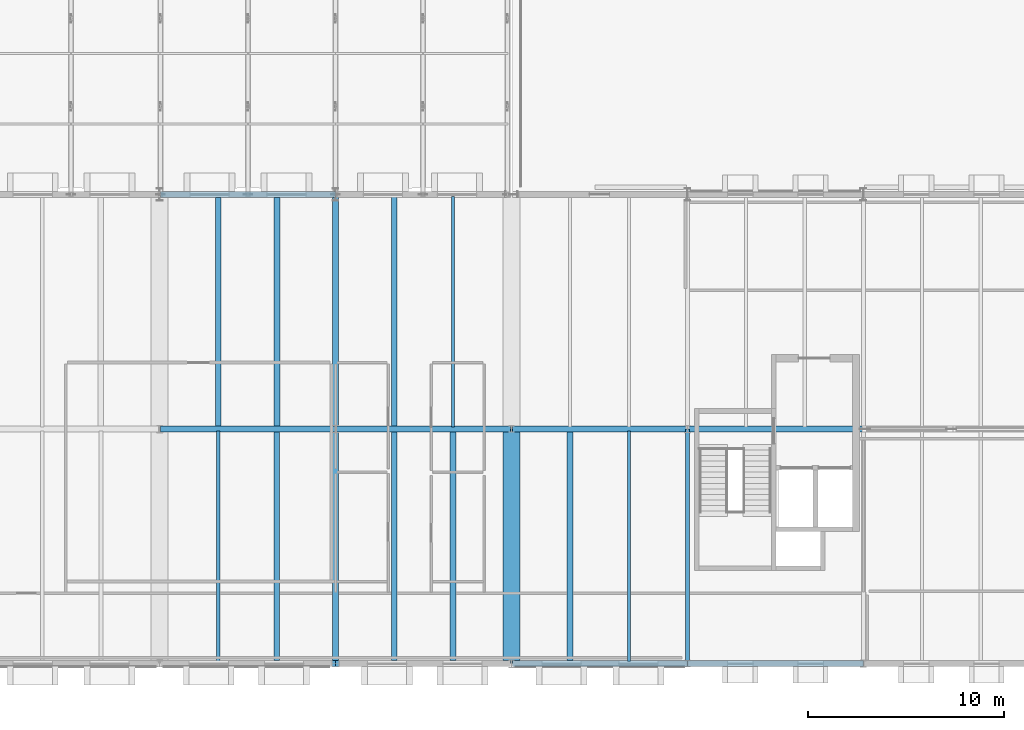
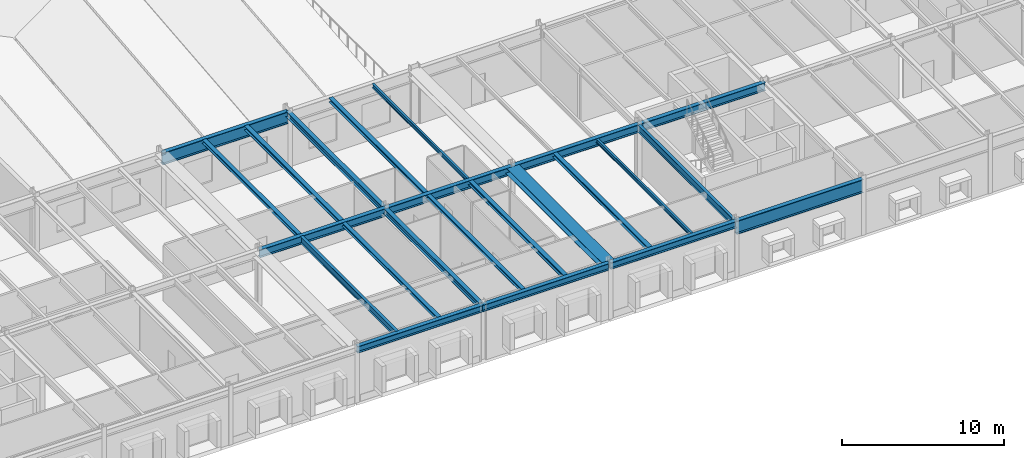
# One storey, part 43 of 142: 23 beams.
"""IFC4 building model written with IfcOpenShell, lengths in metres."""

from ifc_helpers import new_model, si_unit, direction, frame, origin, origin_2d, place, context, subcontext, project, spatial, i_section, extrude, material, material_profile, profile_set, type_object, element, save


model = new_model("IFC4")

# Units and contexts
model_context = context("Model", 3, precision=1e-05, world=origin(), true_north=direction((0.0, 1.0)))
body_context = subcontext(model_context, "Body", "Model", "MODEL_VIEW")
ifc_project = project(units=[si_unit("LENGTHUNIT", "METRE"), si_unit("AREAUNIT", "SQUARE_METRE"), si_unit("VOLUMEUNIT", "CUBIC_METRE"), si_unit("PLANEANGLEUNIT", "RADIAN"), si_unit("MASSUNIT", "GRAM", prefix="KILO")], contexts=[model_context])

# Site, building, storey
site_placement = place(None, origin())
site = spatial("IfcSite", under=ifc_project, at=site_placement, CompositionType="ELEMENT")
building_placement = place(site_placement, origin())
building = spatial("IfcBuilding", under=site, at=building_placement, Name="Montelvaro Courts of Justice", CompositionType="ELEMENT")
storey_placement = place(building_placement, frame((0.0, 0.0, 14.39990234375)))
storey = spatial("IfcBuildingStorey", under=building, at=storey_placement, Name="L03", CompositionType="ELEMENT", Elevation=14.39990234375)

# Beams
ifc_material = material(Name="Steel S355", Category="steel")
ifc_material_profile_1 = material_profile(ifc_material, i_section(OverallWidth=0.280029296875, OverallDepth=0.27001953125, WebThickness=0.008056640625, FlangeThickness=0.012939453125, at=origin_2d()), Name="HEA 280")
ifc_profile_set_1 = profile_set([ifc_material_profile_1], Name="Steel S355")
beam_type_1 = type_object("IfcBeamType", Name="Beam_HEA280", PredefinedType="BEAM", material=ifc_profile_set_1)
for number, where, z_axis, x_axis, name in (
    (1, (87.0, 0.110107421875, 4.045166015625), (0.0, 1.0, 0.0), (-1.0, 0.0, 0.0), "Beam B-14 L03"),
    (2, (84.0, 12.110107421875, 4.045166015625), (0.0, 1.0, 0.0), (-1.0, 0.0, 0.0), "Beam B-14 L03"),
    (3, (93.0, 0.110107421875, 4.045166015625), (0.0, 1.0, 0.0), (-1.0, 0.0, 0.0), "Beam B-14 L03"),
):
    element("IfcBeam", number, at=place(storey_placement, frame(where, z_axis=z_axis, x_axis=x_axis)), inside=storey, type_object=beam_type_1, Name=name, PredefinedType="BEAM", context=body_context, shape_type="SweptSolid", body=[
        extrude(i_section(OverallWidth=0.280029296875, OverallDepth=0.27001953125, WebThickness=0.008056640625, FlangeThickness=0.012939453125, at=origin_2d()), origin(), (0.0, 0.0, 1.0), 11.77978515625),
    ])
ifc_material_profile_2 = material_profile(ifc_material, i_section(OverallWidth=0.300048828125, OverallDepth=0.31005859375, WebThickness=0.009033203125, FlangeThickness=0.015380859375, at=origin_2d()), Name="HEA 320")
ifc_profile_set_2 = profile_set([ifc_material_profile_2], Name="Steel S355")
beam_type_2 = type_object("IfcBeamType", Name="Beam_HEA320", PredefinedType="BEAM", material=ifc_profile_set_2)
for number, where, z_axis, x_axis, name in (
    (4, (87.0, 12.110107421875, 4.025146484375), (0.0, 1.0, 0.0), (-1.0, 0.0, 0.0), "Beam B-15 L03"),
    (5, (96.0, 0.110107421875, 4.025146484375), (0.0, 1.0, 0.0), (-1.0, 0.0, 0.0), "Beam B-15 L03"),
    (6, (93.0, 12.110107421875, 4.025146484375), (0.0, 1.0, 0.0), (-1.0, 0.0, 0.0), "Beam B-15 L03"),
    (7, (102.0, 0.110107421875, 4.025146484375), (0.0, 1.0, 0.0), (-1.0, 0.0, 0.0), "Beam B-15 L03"),
):
    element("IfcBeam", number, at=place(storey_placement, frame(where, z_axis=z_axis, x_axis=x_axis)), inside=storey, type_object=beam_type_2, Name=name, PredefinedType="BEAM", context=body_context, shape_type="SweptSolid", body=[
        extrude(i_section(OverallWidth=0.300048828125, OverallDepth=0.31005859375, WebThickness=0.009033203125, FlangeThickness=0.015380859375, at=origin_2d()), origin(), (0.0, 0.0, 1.0), 11.77978515625),
    ])
ifc_material_profile_3 = material_profile(ifc_material, i_section(OverallWidth=0.300048828125, OverallDepth=0.43994140625, WebThickness=0.011474609375, FlangeThickness=0.02099609375, at=origin_2d()), Name="HEA 450")
ifc_profile_set_3 = profile_set([ifc_material_profile_3], Name="Steel S355")
beam_type_3 = type_object("IfcBeamType", Name="Beam_HEA450", PredefinedType="USERDEFINED", material=ifc_profile_set_3)
for number, where, z_axis, x_axis, name in (
    (8, (90.0, 0.0, 3.960205078125), (0.0, 1.0, 0.0), (-1.0, 0.0, 0.0), "Beam B-18 L03"),
    (9, (90.0, 12.0, 3.960205078125), (0.0, 1.0, 0.0), (-1.0, 0.0, 0.0), "Beam B-18 L03"),
):
    element("IfcBeam", number, at=place(storey_placement, frame(where, z_axis=z_axis, x_axis=x_axis)), inside=storey, type_object=beam_type_3, Name=name, ObjectType="GIRDER", PredefinedType="USERDEFINED", context=body_context, shape_type="SweptSolid", body=[
        extrude(i_section(OverallWidth=0.300048828125, OverallDepth=0.43994140625, WebThickness=0.011474609375, FlangeThickness=0.02099609375, at=origin_2d()), origin(), (0.0, 0.0, 1.0), 12.0),
    ])
ifc_material_profile_4 = material_profile(ifc_material, i_section(OverallWidth=0.300048828125, OverallDepth=0.5, WebThickness=0.014404296875, FlangeThickness=0.028076171875, at=origin_2d()), Name="HEB 500")
ifc_profile_set_4 = profile_set([ifc_material_profile_4], Name="Steel S355")
beam_type_4 = type_object("IfcBeamType", Name="Beam_HEB500", PredefinedType="USERDEFINED", material=ifc_profile_set_4)
for number, where, z_axis, x_axis, name in (
    (10, (81.050048828125, 0.0, 3.93017578125), (1.0, 0.0, 0.0), (0.0, 1.0, 0.0), "Beam B-25 L03"),
    (11, (90.0, 0.0, 3.93017578125), (1.0, 0.0, 0.0), (0.0, 1.0, 0.0), "Beam B-25 L03"),
    (12, (99.050048828125, 0.0, 3.93017578125), (1.0, 0.0, 0.0), (0.0, 1.0, 0.0), "Beam B-25 L03"),
):
    element("IfcBeam", number, at=place(storey_placement, frame(where, z_axis=z_axis, x_axis=x_axis)), inside=storey, type_object=beam_type_4, Name=name, ObjectType="GIRDER", PredefinedType="USERDEFINED", context=body_context, shape_type="SweptSolid", body=[
        extrude(i_section(OverallWidth=0.300048828125, OverallDepth=0.5, WebThickness=0.014404296875, FlangeThickness=0.028076171875, at=origin_2d()), origin(), (0.0, 0.0, 1.0), 8.949951171875),
    ])
ifc_material_profile_5 = material_profile(ifc_material, i_section(OverallWidth=0.300048828125, OverallDepth=0.60009765625, WebThickness=0.015380859375, FlangeThickness=0.030029296875, at=origin_2d()), Name="HEB 600")
ifc_profile_set_5 = profile_set([ifc_material_profile_5], Name="Steel S355")
beam_type_5 = type_object("IfcBeamType", Name="Beam_HEB600", PredefinedType="USERDEFINED", material=ifc_profile_set_5)
for number, where, z_axis, x_axis, name in (
    (13, (81.050048828125, 12.0, 3.880126953125), (1.0, 0.0, 0.0), (0.0, 1.0, 0.0), "Beam B-26 L03"),
    (14, (90.0, 12.0, 3.880126953125), (1.0, 0.0, 0.0), (0.0, 1.0, 0.0), "Beam B-26 L03"),
    (15, (99.050048828125, 12.0, 3.880126953125), (1.0, 0.0, 0.0), (0.0, 1.0, 0.0), "Beam B-26 L03"),
):
    element("IfcBeam", number, at=place(storey_placement, frame(where, z_axis=z_axis, x_axis=x_axis)), inside=storey, type_object=beam_type_5, Name=name, ObjectType="GIRDER", PredefinedType="USERDEFINED", context=body_context, shape_type="SweptSolid", body=[
        extrude(i_section(OverallWidth=0.300048828125, OverallDepth=0.60009765625, WebThickness=0.015380859375, FlangeThickness=0.030029296875, at=origin_2d()), origin(), (0.0, 0.0, 1.0), 8.949951171875),
    ])
beam_1_placement = place(storey_placement, frame((108.0, 12.0, 3.880126953125), z_axis=(1.0, 0.0, 0.0), x_axis=(0.0, 1.0, 0.0)))
element("IfcBeam", 16, at=beam_1_placement, inside=storey, type_object=beam_type_5, Name="Beam B-26 L03", ObjectType="GIRDER", PredefinedType="USERDEFINED", context=body_context, shape_type="SweptSolid", body=[
    extrude(i_section(OverallWidth=0.300048828125, OverallDepth=0.60009765625, WebThickness=0.015380859375, FlangeThickness=0.030029296875, at=origin_2d()), origin(), (0.0, 0.0, 1.0), 9.0),
])
ifc_material_profile_6 = material_profile(ifc_material, i_section(OverallWidth=0.300048828125, OverallDepth=0.89990234375, WebThickness=0.0185546875, FlangeThickness=0.034912109375, at=origin_2d()), Name="HEB 900")
ifc_profile_set_6 = profile_set([ifc_material_profile_6], Name="Steel S355")
beam_type_6 = type_object("IfcBeamType", Name="Beam_HEB900", PredefinedType="USERDEFINED", material=ifc_profile_set_6)
beam_2_placement = place(storey_placement, frame((81.050048828125, 24.0, 3.72998046875), z_axis=(1.0, 0.0, 0.0), x_axis=(0.0, 1.0, 0.0)))
element("IfcBeam", 17, at=beam_2_placement, inside=storey, type_object=beam_type_6, Name="Beam B-30 L03", ObjectType="GIRDER", PredefinedType="USERDEFINED", context=body_context, shape_type="SweptSolid", body=[
    extrude(i_section(OverallWidth=0.300048828125, OverallDepth=0.89990234375, WebThickness=0.0185546875, FlangeThickness=0.034912109375, at=origin_2d()), origin(), (0.0, 0.0, 1.0), 8.949951171875),
])
ifc_material_profile_7 = material_profile(ifc_material, i_section(OverallWidth=0.302001953125, OverallDepth=1.008056640625, WebThickness=0.02099609375, FlangeThickness=0.0400390625, at=origin_2d()), Name="HEM 1000")
ifc_profile_set_7 = profile_set([ifc_material_profile_7], Name="Steel S355")
beam_type_7 = type_object("IfcBeamType", Name="Beam_HEM1000", PredefinedType="USERDEFINED", material=ifc_profile_set_7)
beam_3_placement = place(storey_placement, frame((108.0, 0.0, 3.676025390625), z_axis=(1.0, 0.0, 0.0), x_axis=(0.0, 1.0, 0.0)))
element("IfcBeam", 18, at=beam_3_placement, inside=storey, type_object=beam_type_7, Name="Pratt Cantilever Truss Chord CTR-BAR2-S-L04-BS1", ObjectType="GIRDER", PredefinedType="USERDEFINED", context=body_context, shape_type="SweptSolid", body=[
    extrude(i_section(OverallWidth=0.302001953125, OverallDepth=1.008056640625, WebThickness=0.02099609375, FlangeThickness=0.0400390625, at=origin_2d()), origin(), (0.0, 0.0, 1.0), 9.0),
])
ifc_material_profile_8 = material_profile(ifc_material, i_section(OverallWidth=0.14990234375, OverallDepth=0.300048828125, WebThickness=0.007080078125, FlangeThickness=0.0107421875, at=origin_2d()), Name="IPE 300")
ifc_profile_set_8 = profile_set([ifc_material_profile_8], Name="Steel S355")
beam_type_8 = type_object("IfcBeamType", Name="Beam_IPE300", PredefinedType="BEAM", material=ifc_profile_set_8)
for number, where, z_axis, x_axis, name in (
    (19, (96.0, 12.110107421875, 4.030029296875), (0.0, 1.0, 0.0), (-1.0, 0.0, 0.0), "Beam B-05 L03"),
    (20, (105.0, 0.110107421875, 4.030029296875), (0.0, 1.0, 0.0), (-1.0, 0.0, 0.0), "Beam B-05 L03"),
):
    element("IfcBeam", number, at=place(storey_placement, frame(where, z_axis=z_axis, x_axis=x_axis)), inside=storey, type_object=beam_type_8, Name=name, PredefinedType="BEAM", context=body_context, shape_type="SweptSolid", body=[
        extrude(i_section(OverallWidth=0.14990234375, OverallDepth=0.300048828125, WebThickness=0.007080078125, FlangeThickness=0.0107421875, at=origin_2d()), origin(), (0.0, 0.0, 1.0), 11.77978515625),
    ])
ifc_material_profile_9 = material_profile(ifc_material, i_section(OverallWidth=0.199951171875, OverallDepth=0.5, WebThickness=0.01025390625, FlangeThickness=0.01611328125, at=origin_2d()), Name="IPE 500")
ifc_profile_set_9 = profile_set([ifc_material_profile_9], Name="Steel S355")
beam_type_9 = type_object("IfcBeamType", Name="Beam_IPE500", PredefinedType="BEAM", material=ifc_profile_set_9)
beam_4_placement = place(storey_placement, frame((84.0, 0.110107421875, 3.93017578125), z_axis=(0.0, 1.0, 0.0), x_axis=(-1.0, 0.0, 0.0)))
element("IfcBeam", 21, at=beam_4_placement, inside=storey, type_object=beam_type_9, Name="Beam B-10 L03", PredefinedType="BEAM", context=body_context, shape_type="SweptSolid", body=[
    extrude(i_section(OverallWidth=0.199951171875, OverallDepth=0.5, WebThickness=0.01025390625, FlangeThickness=0.01611328125, at=origin_2d()), origin(), (0.0, 0.0, 1.0), 11.77978515625),
])
ifc_material_profile_10 = material_profile(ifc_material, i_section(OverallWidth=0.2099609375, OverallDepth=0.550048828125, WebThickness=0.010986328125, FlangeThickness=0.01708984375, at=origin_2d()), Name="IPE 550")
ifc_profile_set_10 = profile_set([ifc_material_profile_10], Name="Steel S355")
beam_type_10 = type_object("IfcBeamType", Name="Beam_IPE550", PredefinedType="BEAM", material=ifc_profile_set_10)
beam_5_placement = place(storey_placement, frame((108.0, 0.0, 3.905029296875), z_axis=(0.0, 1.0, 0.0), x_axis=(-1.0, 0.0, 0.0)))
element("IfcBeam", 22, at=beam_5_placement, inside=storey, type_object=beam_type_10, Name="Beam B-11 L03", PredefinedType="BEAM", context=body_context, shape_type="SweptSolid", body=[
    extrude(i_section(OverallWidth=0.2099609375, OverallDepth=0.550048828125, WebThickness=0.010986328125, FlangeThickness=0.01708984375, at=origin_2d()), origin(), (0.0, 0.0, 1.0), 12.0),
])
ifc_material_profile_11 = material_profile(ifc_material, i_section(OverallWidth=0.860107421875, OverallDepth=0.47998046875, WebThickness=0.02001953125, FlangeThickness=0.031982421875, at=origin_2d()), Name="HL 480x860")
ifc_profile_set_11 = profile_set([ifc_material_profile_11], Name="Steel S355")
beam_type_11 = type_object("IfcBeamType", Name="Beam_MJSeat_860", PredefinedType="USERDEFINED", material=ifc_profile_set_11)
beam_6_placement = place(storey_placement, frame((99.0, 0.0, 3.940185546875), z_axis=(0.0, 1.0, 0.0), x_axis=(-1.0, 0.0, 0.0)))
element("IfcBeam", 23, at=beam_6_placement, inside=storey, type_object=beam_type_11, Name="Beam BC-01 L03", ObjectType="GIRDER", PredefinedType="USERDEFINED", context=body_context, shape_type="SweptSolid", body=[
    extrude(i_section(OverallWidth=0.860107421875, OverallDepth=0.47998046875, WebThickness=0.02001953125, FlangeThickness=0.031982421875, at=origin_2d()), origin(), (0.0, 0.0, 1.0), 12.0),
])

save(model, "model.ifc")
